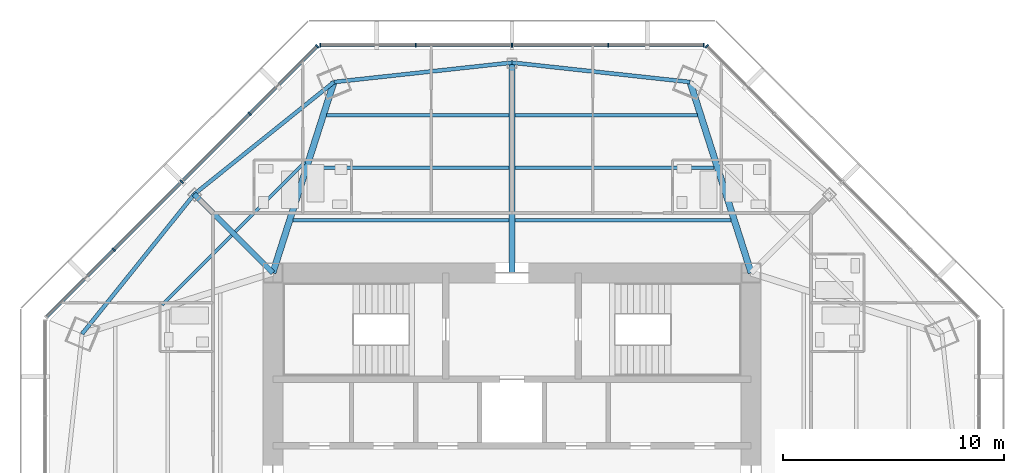
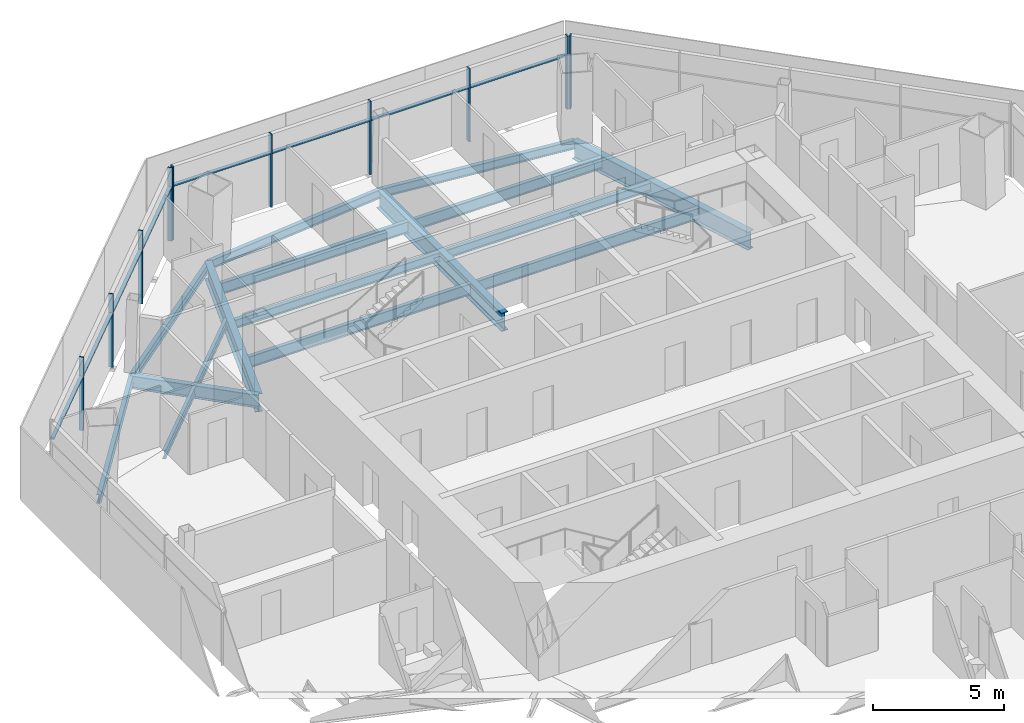
# One storey, part 5 of 14: 18 members, 16 beams, 3 elements without a shape of their own.
"""IFC4 building model written with IfcOpenShell, lengths in metres."""

from ifc_helpers import new_model, si_unit, direction, frame, origin, origin_2d, place, context, subcontext, project, spatial, rectangle, i_section, extrude, source, transform, mapped, material, material_profile, profile_set, type_object, type_shapes, element, aggregate, save


model = new_model("IFC4")

# Units and contexts
model_context = context("Model", 3, precision=1e-05, world=origin(), true_north=direction((0.0, 1.0)))
body_context = subcontext(model_context, "Body", "Model", "MODEL_VIEW")
ifc_project = project(units=[si_unit("LENGTHUNIT", "METRE"), si_unit("AREAUNIT", "SQUARE_METRE"), si_unit("VOLUMEUNIT", "CUBIC_METRE"), si_unit("PLANEANGLEUNIT", "RADIAN"), si_unit("MASSUNIT", "GRAM", prefix="KILO")], contexts=[model_context])

# Site, building, storey
site_placement = place(None, origin())
site = spatial("IfcSite", under=ifc_project, at=site_placement, CompositionType="ELEMENT")
building_placement = place(site_placement, origin())
building = spatial("IfcBuilding", under=site, at=building_placement, Name="Mashrafa Tower", CompositionType="ELEMENT")
storey_placement = place(building_placement, frame((0.0, 0.0, 244.800048828125)))
storey = spatial("IfcBuildingStorey", under=building, at=storey_placement, Name="L58", CompositionType="ELEMENT", Elevation=244.800048828125)

# Beams
ifc_material_1 = material(Name="Steel ASTM A992", Category="steel")
ifc_material_profile_1 = material_profile(ifc_material_1, i_section(OverallWidth=0.140380859375, OverallDepth=0.40380859375, WebThickness=0.007080078125, FlangeThickness=0.01123046875, FilletRadius=0.01025390625, at=origin_2d()), Name="W16X31")
ifc_profile_set_1 = profile_set([ifc_material_profile_1], Name="Steel ASTM A992")
beam_type_1 = type_object("IfcBeamType", Name="Beam W16X31", PredefinedType="BEAM", material=ifc_profile_set_1)
for number, where, z_axis, x_axis, name in (
    (1, (-15.79638671875, 9.354736328125, -0.402099609375), (0.707134267796, 0.707079293508, 0.0), (-0.707079293508, 0.707134267796, 0.0), "Floor beam L58 003"),
    (2, (-12.494873046875, 12.656005859375, -0.402099609375), (0.707079293508, 0.707134267796, 0.0), (-0.707134267796, 0.707079293508, 0.0), "Floor beam L58 009"),
):
    element("IfcBeam", number, at=place(storey_placement, frame(where, z_axis=z_axis, x_axis=x_axis)), inside=storey, type_object=beam_type_1, Name=name, PredefinedType="BEAM", context=body_context, shape_type="SweptSolid", body=[
        extrude(i_section(OverallWidth=0.140380859375, OverallDepth=0.40380859375, WebThickness=0.007080078125, FlangeThickness=0.01123046875, FilletRadius=0.01025390625, at=origin_2d()), origin(), (0.0, 0.0, 1.0), 4.44091796875),
    ])
ifc_material_2 = material(Name="Steel ASTM A992", Category="steel")
ifc_material_profile_2 = material_profile(ifc_material_2, i_section(OverallWidth=0.177734375, OverallDepth=0.406494140625, WebThickness=0.0078125, FlangeThickness=0.012939453125, FilletRadius=0.01025390625, at=origin_2d()), Name="W16X40")
ifc_profile_set_2 = profile_set([ifc_material_profile_2], Name="Steel ASTM A992")
beam_type_2 = type_object("IfcBeamType", Name="Beam W16X40", PredefinedType="BEAM", material=ifc_profile_set_2)
for number, where, z_axis, x_axis, name in (
    (3, (-9.127685546875, 15.547607421875, -0.4033203125), (1.0, 0.0, 0.0), (0.0, 1.0, 0.0), "Floor beam L58 011"),
    (4, (0.14599609375, 15.547607421875, -0.4033203125), (1.0, 0.0, 0.0), (0.0, 1.0, 0.0), "Floor beam L58 018"),
):
    element("IfcBeam", number, at=place(storey_placement, frame(where, z_axis=z_axis, x_axis=x_axis)), inside=storey, type_object=beam_type_2, Name=name, PredefinedType="BEAM", context=body_context, shape_type="SweptSolid", body=[
        extrude(i_section(OverallWidth=0.177734375, OverallDepth=0.406494140625, WebThickness=0.0078125, FlangeThickness=0.012939453125, FilletRadius=0.01025390625, at=origin_2d()), origin(), (0.0, 0.0, 1.0), 8.981689453125),
    ])
for number, where, z_axis, x_axis, name in (
    (5, (-14.35107421875, 14.35107421875, -0.4033203125), (-0.626143871873, -0.779707542426, 0.0), (0.779707542426, -0.626143871873, 0.0), "Spandrel beam L58 053"),
    (6, (-8.042724609375, 19.4169921875, -0.4033203125), (-0.779707542426, -0.626143871873, 0.0), (0.626143871873, -0.779707542426, 0.0), "Spandrel beam L58 055"),
    (7, (0.0, 20.29541015625, -0.4033203125), (-0.994088446006, -0.108573300207, 0.0), (0.108573300207, -0.994088446006, 0.0), "Spandrel beam L58 057"),
    (8, (8.042724609375, 19.4169921875, -0.4033203125), (-0.994088446006, 0.108573300207, 0.0), (-0.108573300207, -0.994088446006, 0.0), "Spandrel beam L58 059"),
):
    element("IfcBeam", number, at=place(storey_placement, frame(where, z_axis=z_axis, x_axis=x_axis)), inside=storey, type_object=beam_type_2, Name=name, PredefinedType="BEAM", context=body_context, shape_type="SweptSolid", body=[
        extrude(i_section(OverallWidth=0.177734375, OverallDepth=0.406494140625, WebThickness=0.0078125, FlangeThickness=0.012939453125, FilletRadius=0.01025390625, at=origin_2d()), origin(), (0.0, 0.0, 1.0), 8.090576171875),
    ])
ifc_material_3 = material(Name="Steel ASTM A992", Category="steel")
ifc_material_profile_3 = material_profile(ifc_material_3, i_section(OverallWidth=0.165771484375, OverallDepth=0.5283203125, WebThickness=0.009765625, FlangeThickness=0.013671875, FilletRadius=0.012939453125, at=origin_2d()), Name="W21X50")
ifc_profile_set_3 = profile_set([ifc_material_profile_3], Name="Steel ASTM A992")
beam_type_3 = type_object("IfcBeamType", Name="Beam W21X50", PredefinedType="BEAM", material=ifc_profile_set_3)
beam_1_placement = place(storey_placement, frame((-9.88720703125, 13.173828125, -0.464111328125), z_axis=(1.0, 0.0, 0.0), x_axis=(0.0, 1.0, 0.0)))
element("IfcBeam", 9, at=beam_1_placement, inside=storey, type_object=beam_type_3, Name="Floor beam L58 010", PredefinedType="BEAM", context=body_context, shape_type="SweptSolid", body=[
    extrude(i_section(OverallWidth=0.165771484375, OverallDepth=0.5283203125, WebThickness=0.009765625, FlangeThickness=0.013671875, FilletRadius=0.012939453125, at=origin_2d()), origin(), (0.0, 0.0, 1.0), 9.7412109375),
])
beam_2_placement = place(storey_placement, frame((-8.3681640625, 17.92138671875, -0.464111328125), z_axis=(1.0, 0.0, 0.0), x_axis=(0.0, 1.0, 0.0)))
element("IfcBeam", 10, at=beam_2_placement, inside=storey, type_object=beam_type_3, Name="Floor beam L58 013", PredefinedType="BEAM", context=body_context, shape_type="SweptSolid", body=[
    extrude(i_section(OverallWidth=0.165771484375, OverallDepth=0.5283203125, WebThickness=0.009765625, FlangeThickness=0.013671875, FilletRadius=0.012939453125, at=origin_2d()), origin(), (0.0, 0.0, 1.0), 8.22216796875),
])
beam_3_placement = place(storey_placement, frame((0.14599609375, 13.173828125, -0.464111328125), z_axis=(1.0, 0.0, 0.0), x_axis=(0.0, 1.0, 0.0)))
element("IfcBeam", 11, at=beam_3_placement, inside=storey, type_object=beam_type_3, Name="Floor beam L58 017", PredefinedType="BEAM", context=body_context, shape_type="SweptSolid", body=[
    extrude(i_section(OverallWidth=0.165771484375, OverallDepth=0.5283203125, WebThickness=0.009765625, FlangeThickness=0.013671875, FilletRadius=0.012939453125, at=origin_2d()), origin(), (0.0, 0.0, 1.0), 9.7412109375),
])
beam_4_placement = place(storey_placement, frame((0.14599609375, 17.92138671875, -0.464111328125), z_axis=(1.0, 0.0, 0.0), x_axis=(0.0, 1.0, 0.0)))
element("IfcBeam", 12, at=beam_4_placement, inside=storey, type_object=beam_type_3, Name="Floor beam L58 019", PredefinedType="BEAM", context=body_context, shape_type="SweptSolid", body=[
    extrude(i_section(OverallWidth=0.165771484375, OverallDepth=0.5283203125, WebThickness=0.009765625, FlangeThickness=0.013671875, FilletRadius=0.012939453125, at=origin_2d()), origin(), (0.0, 0.0, 1.0), 8.22216796875),
])
ifc_material_4 = material(Name="Steel ASTM A992", Category="steel")
ifc_material_profile_4 = material_profile(ifc_material_4, i_section(OverallWidth=0.227783203125, OverallDepth=0.60205078125, WebThickness=0.010498046875, FlangeThickness=0.014892578125, FilletRadius=0.012939453125, at=origin_2d()), Name="W24X68")
ifc_profile_set_4 = profile_set([ifc_material_profile_4], Name="Steel ASTM A992")
beam_type_4 = type_object("IfcBeamType", Name="Beam W24X68", PredefinedType="BEAM", material=ifc_profile_set_4)
beam_5_placement = place(storey_placement, frame((-10.800048828125, 10.800048828125, -0.5009765625), z_axis=(-0.707106781187, 0.707106781187, 0.0), x_axis=(-0.707106781187, -0.707106781187, 0.0)))
element("IfcBeam", 13, at=beam_5_placement, inside=storey, type_object=beam_type_4, Name="Radial girder L58 038", PredefinedType="BEAM", context=body_context, shape_type="SweptSolid", body=[
    extrude(i_section(OverallWidth=0.227783203125, OverallDepth=0.60205078125, WebThickness=0.010498046875, FlangeThickness=0.014892578125, FilletRadius=0.012939453125, at=origin_2d()), origin(), (0.0, 0.0, 1.0), 5.02197265625),
])
ifc_material_5 = material(Name="Steel ASTM A992", Category="steel")
ifc_material_profile_5 = material_profile(ifc_material_5, i_section(OverallWidth=0.2919921875, OverallDepth=0.8408203125, WebThickness=0.0146484375, FlangeThickness=0.021728515625, FilletRadius=0.017333984375, at=origin_2d()), Name="W33X130")
ifc_profile_set_5 = profile_set([ifc_material_profile_5], Name="Steel ASTM A992")
beam_type_5 = type_object("IfcBeamType", Name="Beam W33X130", PredefinedType="BEAM", material=ifc_profile_set_5)
for number, where, z_axis, x_axis, name in (
    (14, (-10.800048828125, 10.800048828125, -0.620361328125), (0.304765935809, 0.952427280358, 0.0), (-0.952427280358, 0.304765935809, 0.0), "Radial girder L58 039"),
    (15, (10.800048828125, 10.800048828125, -0.620361328125), (-0.304765935809, 0.952427280358, 0.0), (-0.952427280358, -0.304765935809, 0.0), "Radial girder L58 046"),
):
    element("IfcBeam", number, at=place(storey_placement, frame(where, z_axis=z_axis, x_axis=x_axis)), inside=storey, type_object=beam_type_5, Name=name, PredefinedType="BEAM", context=body_context, shape_type="SweptSolid", body=[
        extrude(i_section(OverallWidth=0.2919921875, OverallDepth=0.8408203125, WebThickness=0.0146484375, FlangeThickness=0.021728515625, FilletRadius=0.017333984375, at=origin_2d()), origin(), (0.0, 0.0, 1.0), 9.04736328125),
    ])
ifc_material_6 = material(Name="Steel ASTM A992", Category="steel")
ifc_material_profile_6 = material_profile(ifc_material_6, i_section(OverallWidth=0.2919921875, OverallDepth=0.8583984375, WebThickness=0.01708984375, FlangeThickness=0.031005859375, FilletRadius=0.017822265625, at=origin_2d()), Name="W33X169")
ifc_profile_set_6 = profile_set([ifc_material_profile_6], Name="Steel ASTM A992")
beam_type_6 = type_object("IfcBeamType", Name="Beam W33X169", PredefinedType="BEAM", material=ifc_profile_set_6)
beam_6_placement = place(storey_placement, frame((0.0, 10.800048828125, -0.62939453125), z_axis=(0.0, 1.0, 0.0), x_axis=(-1.0, 0.0, 0.0)))
element("IfcBeam", 16, at=beam_6_placement, inside=storey, type_object=beam_type_6, Name="Radial girder L58 041", PredefinedType="BEAM", context=body_context, shape_type="SweptSolid", body=[
    extrude(i_section(OverallWidth=0.2919921875, OverallDepth=0.8583984375, WebThickness=0.01708984375, FlangeThickness=0.031005859375, FilletRadius=0.017822265625, at=origin_2d()), origin(), (0.0, 0.0, 1.0), 9.495361328125),
])

# Curtain wall, member
ifc_material_7 = material(Name="Unitised aluminium curtain wall", Category="aluminium")
curtain_wall_type = type_object("IfcCurtainWallType", Name="Apartment curtain wall, zone 3 CW-C 180 deep", PredefinedType="NOTDEFINED", material=ifc_material_7)
curtain_wall_1_placement = place(storey_placement, origin())
curtain_wall_1 = element("IfcCurtainWall", 17, at=curtain_wall_1_placement, inside=storey, type_object=curtain_wall_type, Name="Apartment curtain wall, zone 3 L58 north-east", PredefinedType="NOTDEFINED")
ifc_material_8 = material(Name="Extruded aluminium mullion", Category="aluminium")
ifc_material_profile_7 = material_profile(ifc_material_8, rectangle(XDim=0.179931640625, YDim=0.06005859375, at=origin_2d()), Name="Mullion 60x180")
ifc_profile_set_7 = profile_set([ifc_material_profile_7], Name="Extruded aluminium mullion")
member_type_1 = type_object("IfcMemberType", Name="Mullion CW-C 60 x 180", PredefinedType="MULLION", material=ifc_profile_set_7)
shared_shape_1 = source(origin(), body_context, "Body", "SweptSolid", [
    extrude(rectangle(XDim=0.179931640625, YDim=0.06005859375, at=origin_2d()), origin(), (0.0, 0.0, 1.0), 3.39990234375),
])
type_shapes(member_type_1, [shared_shape_1])
member_1_placement = place(storey_placement, frame((8.790283203125, 21.034912109375, 0.0), z_axis=(0.0, 0.0, 1.0), x_axis=(-0.707106781187, -0.707106781187, 0.0)))
member_1 = element("IfcMember", 18, at=member_1_placement, type_object=member_type_1, Name="CW-C mullion 5", PredefinedType="MULLION", context=body_context, shape_type="MappedRepresentation", body=[
    mapped(shared_shape_1, transform((0.0, 0.0, 0.0))),
])
aggregate(curtain_wall_1, [member_1])

# Curtain wall, members
curtain_wall_2_placement = place(storey_placement, origin())
curtain_wall_2 = element("IfcCurtainWall", 19, at=curtain_wall_2_placement, inside=storey, type_object=curtain_wall_type, Name="Apartment curtain wall, zone 3 L58 north", PredefinedType="NOTDEFINED")
member_2_placement = place(storey_placement, frame((8.658447265625, 21.089599609375, 0.0), z_axis=(0.0, 0.0, 1.0), x_axis=(0.0, -1.0, 0.0)))
member_2 = element("IfcMember", 20, at=member_2_placement, type_object=member_type_1, Name="CW-C mullion 1", PredefinedType="MULLION", context=body_context, shape_type="MappedRepresentation", body=[
    mapped(shared_shape_1, transform((0.0, 0.0, 0.0))),
])
member_3_placement = place(storey_placement, frame((4.34423828125, 21.089599609375, 0.0), z_axis=(0.0, 0.0, 1.0), x_axis=(0.0, -1.0, 0.0)))
member_3 = element("IfcMember", 21, at=member_3_placement, type_object=member_type_1, Name="CW-C mullion 2", PredefinedType="MULLION", context=body_context, shape_type="MappedRepresentation", body=[
    mapped(shared_shape_1, transform((0.0, 0.0, 0.0))),
])
member_4_placement = place(storey_placement, frame((0.0, 21.089599609375, 0.0), z_axis=(0.0, 0.0, 1.0), x_axis=(0.0, -1.0, 0.0)))
member_4 = element("IfcMember", 22, at=member_4_placement, type_object=member_type_1, Name="CW-C mullion 3", PredefinedType="MULLION", context=body_context, shape_type="MappedRepresentation", body=[
    mapped(shared_shape_1, transform((0.0, 0.0, 0.0))),
])
member_5_placement = place(storey_placement, frame((-4.34423828125, 21.089599609375, 0.0), z_axis=(0.0, 0.0, 1.0), x_axis=(0.0, -1.0, 0.0)))
member_5 = element("IfcMember", 23, at=member_5_placement, type_object=member_type_1, Name="CW-C mullion 4", PredefinedType="MULLION", context=body_context, shape_type="MappedRepresentation", body=[
    mapped(shared_shape_1, transform((0.0, 0.0, 0.0))),
])
member_6_placement = place(storey_placement, frame((-8.658447265625, 21.089599609375, 0.0), z_axis=(0.0, 0.0, 1.0), x_axis=(0.0, -1.0, 0.0)))
member_6 = element("IfcMember", 24, at=member_6_placement, type_object=member_type_1, Name="CW-C mullion 5", PredefinedType="MULLION", context=body_context, shape_type="MappedRepresentation", body=[
    mapped(shared_shape_1, transform((0.0, 0.0, 0.0))),
])

curtain_wall_3_placement = place(storey_placement, origin())
curtain_wall_3 = element("IfcCurtainWall", 25, at=curtain_wall_3_placement, inside=storey, type_object=curtain_wall_type, Name="Apartment curtain wall, zone 3 L58 north-west", PredefinedType="NOTDEFINED")
member_7_placement = place(storey_placement, frame((-8.790283203125, 21.034912109375, 0.0), z_axis=(0.0, 0.0, 1.0), x_axis=(0.707106781187, -0.707106781187, 0.0)))
member_7 = element("IfcMember", 26, at=member_7_placement, type_object=member_type_1, Name="CW-C mullion 1", PredefinedType="MULLION", context=body_context, shape_type="MappedRepresentation", body=[
    mapped(shared_shape_1, transform((0.0, 0.0, 0.0))),
])
member_8_placement = place(storey_placement, frame((-11.8408203125, 17.984375, 0.0), z_axis=(0.0, 0.0, 1.0), x_axis=(0.707106781187, -0.707106781187, 0.0)))
member_8 = element("IfcMember", 27, at=member_8_placement, type_object=member_type_1, Name="CW-C mullion 2", PredefinedType="MULLION", context=body_context, shape_type="MappedRepresentation", body=[
    mapped(shared_shape_1, transform((0.0, 0.0, 0.0))),
])
member_9_placement = place(storey_placement, frame((-14.91259765625, 14.91259765625, 0.0), z_axis=(0.0, 0.0, 1.0), x_axis=(0.707106781187, -0.707106781187, 0.0)))
member_9 = element("IfcMember", 28, at=member_9_placement, type_object=member_type_1, Name="CW-C mullion 3", PredefinedType="MULLION", context=body_context, shape_type="MappedRepresentation", body=[
    mapped(shared_shape_1, transform((0.0, 0.0, 0.0))),
])
member_10_placement = place(storey_placement, frame((-17.984375, 11.8408203125, 0.0), z_axis=(0.0, 0.0, 1.0), x_axis=(0.707106781187, -0.707106781187, 0.0)))
member_10 = element("IfcMember", 29, at=member_10_placement, type_object=member_type_1, Name="CW-C mullion 4", PredefinedType="MULLION", context=body_context, shape_type="MappedRepresentation", body=[
    mapped(shared_shape_1, transform((0.0, 0.0, 0.0))),
])

# Member
ifc_material_9 = material(Name="Extruded aluminium transom", Category="aluminium")
ifc_material_profile_8 = material_profile(ifc_material_9, rectangle(XDim=0.14404296875, YDim=0.074951171875, at=origin_2d()), Name="Transom 75x144")
ifc_profile_set_8 = profile_set([ifc_material_profile_8], Name="Extruded aluminium transom")
member_type_2 = type_object("IfcMemberType", Name="Transom CW-C 75 x 144", PredefinedType="MULLION", material=ifc_profile_set_8)
shared_shape_2 = source(origin(), body_context, "Body", "SweptSolid", [
    extrude(rectangle(XDim=0.14404296875, YDim=0.074951171875, at=origin_2d()), origin(), (0.0, 0.0, 1.0), 4.254150390625),
])
member_11_placement = place(storey_placement, frame((8.62841796875, 21.089599609375, 2.5), z_axis=(-1.0, 0.0, 0.0), x_axis=(0.0, -1.0, 0.0)))
member_11 = element("IfcMember", 30, at=member_11_placement, type_object=member_type_2, Name="CW-C transom 1", PredefinedType="MULLION", context=body_context, shape_type="MappedRepresentation", body=[
    mapped(shared_shape_2, transform((0.0, 0.0, 0.0))),
])

member_12_placement = place(storey_placement, frame((-4.374267578125, 21.089599609375, 2.5), z_axis=(-1.0, 0.0, 0.0), x_axis=(0.0, -1.0, 0.0)))
member_12 = element("IfcMember", 31, at=member_12_placement, type_object=member_type_2, Name="CW-C transom 4", PredefinedType="MULLION", context=body_context, shape_type="MappedRepresentation", body=[
    mapped(shared_shape_2, transform((0.0, 0.0, 0.0))),
])

member_13_placement = place(storey_placement, frame((-8.8115234375, 21.013916015625, 2.5), z_axis=(-0.707078086582, -0.707135474626, 0.0), x_axis=(0.707135474626, -0.707078086582, 0.0)))
member_13 = element("IfcMember", 32, at=member_13_placement, type_object=member_type_2, Name="CW-C transom 1", PredefinedType="MULLION", context=body_context, shape_type="MappedRepresentation", body=[
    mapped(shared_shape_2, transform((0.0, 0.0, 0.0))),
])

member_14_placement = place(storey_placement, frame((-18.005615234375, 11.819580078125, 2.5), z_axis=(-0.707135474626, -0.707078086582, 0.0), x_axis=(0.707078086582, -0.707135474626, 0.0)))
member_14 = element("IfcMember", 33, at=member_14_placement, type_object=member_type_2, Name="CW-C transom 4", PredefinedType="MULLION", context=body_context, shape_type="MappedRepresentation", body=[
    mapped(shared_shape_2, transform((0.0, 0.0, 0.0))),
])

shared_shape_3 = source(origin(), body_context, "Body", "SweptSolid", [
    extrude(rectangle(XDim=0.14404296875, YDim=0.074951171875, at=origin_2d()), origin(), (0.0, 0.0, 1.0), 4.2841796875),
])
type_shapes(member_type_2, [shared_shape_2, shared_shape_3])
member_15_placement = place(storey_placement, frame((4.314208984375, 21.089599609375, 2.5), z_axis=(-1.0, 0.0, 0.0), x_axis=(0.0, -1.0, 0.0)))
member_15 = element("IfcMember", 34, at=member_15_placement, type_object=member_type_2, Name="CW-C transom 2", PredefinedType="MULLION", context=body_context, shape_type="MappedRepresentation", body=[
    mapped(shared_shape_3, transform((0.0, 0.0, 0.0))),
])

member_16_placement = place(storey_placement, frame((-0.030029296875, 21.089599609375, 2.5), z_axis=(-1.0, 0.0, 0.0), x_axis=(0.0, -1.0, 0.0)))
member_16 = element("IfcMember", 35, at=member_16_placement, type_object=member_type_2, Name="CW-C transom 3", PredefinedType="MULLION", context=body_context, shape_type="MappedRepresentation", body=[
    mapped(shared_shape_3, transform((0.0, 0.0, 0.0))),
])

aggregate(curtain_wall_2, [member_2, member_3, member_4, member_5, member_6, member_11, member_15, member_16, member_12])

member_17_placement = place(storey_placement, frame((-11.862060546875, 17.963134765625, 2.5), z_axis=(-0.707106781187, -0.707106781187, 0.0), x_axis=(0.707106781187, -0.707106781187, 0.0)))
member_17 = element("IfcMember", 36, at=member_17_placement, type_object=member_type_2, Name="CW-C transom 2", PredefinedType="MULLION", context=body_context, shape_type="MappedRepresentation", body=[
    mapped(shared_shape_3, transform((0.0, 0.0, 0.0))),
])

member_18_placement = place(storey_placement, frame((-14.933837890625, 14.891357421875, 2.5), z_axis=(-0.707106781187, -0.707106781187, 0.0), x_axis=(0.707106781187, -0.707106781187, 0.0)))
member_18 = element("IfcMember", 37, at=member_18_placement, type_object=member_type_2, Name="CW-C transom 3", PredefinedType="MULLION", context=body_context, shape_type="MappedRepresentation", body=[
    mapped(shared_shape_3, transform((0.0, 0.0, 0.0))),
])

aggregate(curtain_wall_3, [member_7, member_8, member_9, member_10, member_13, member_17, member_18, member_14])

save(model, "model.ifc")
